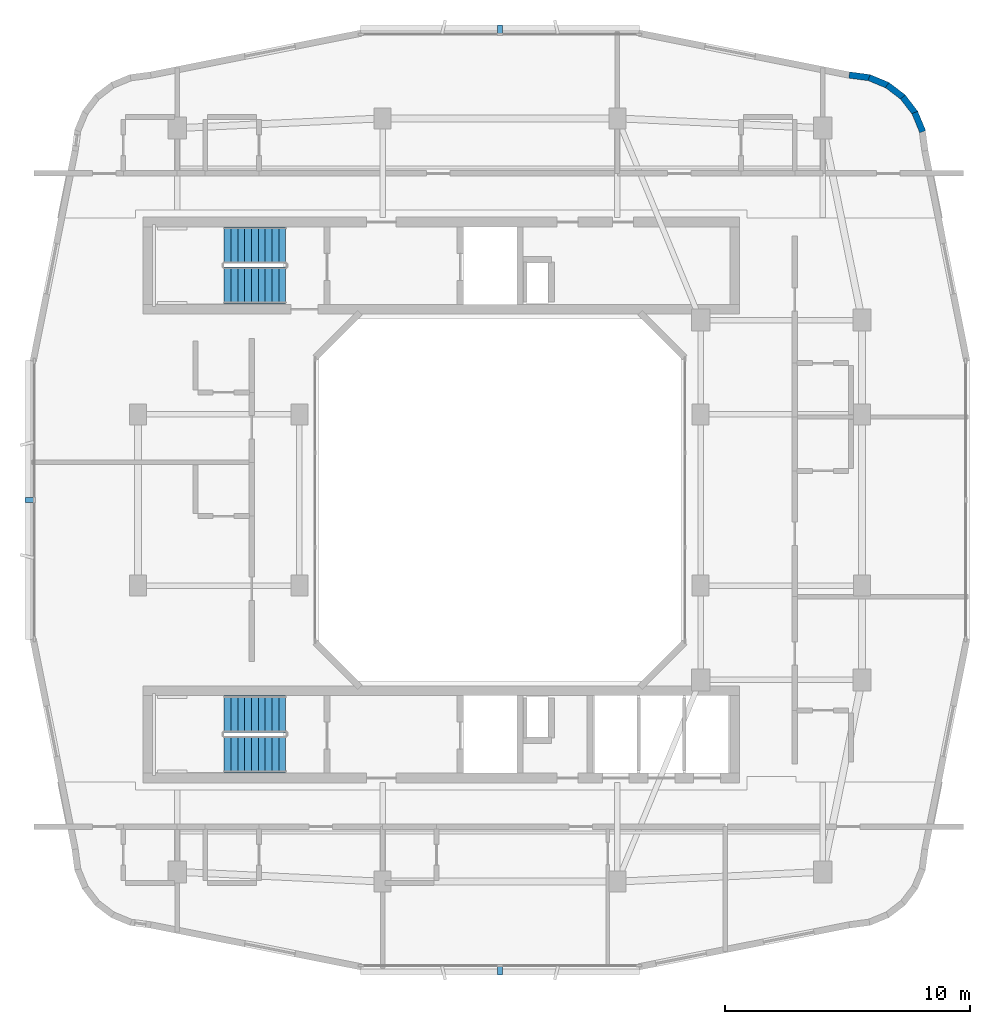
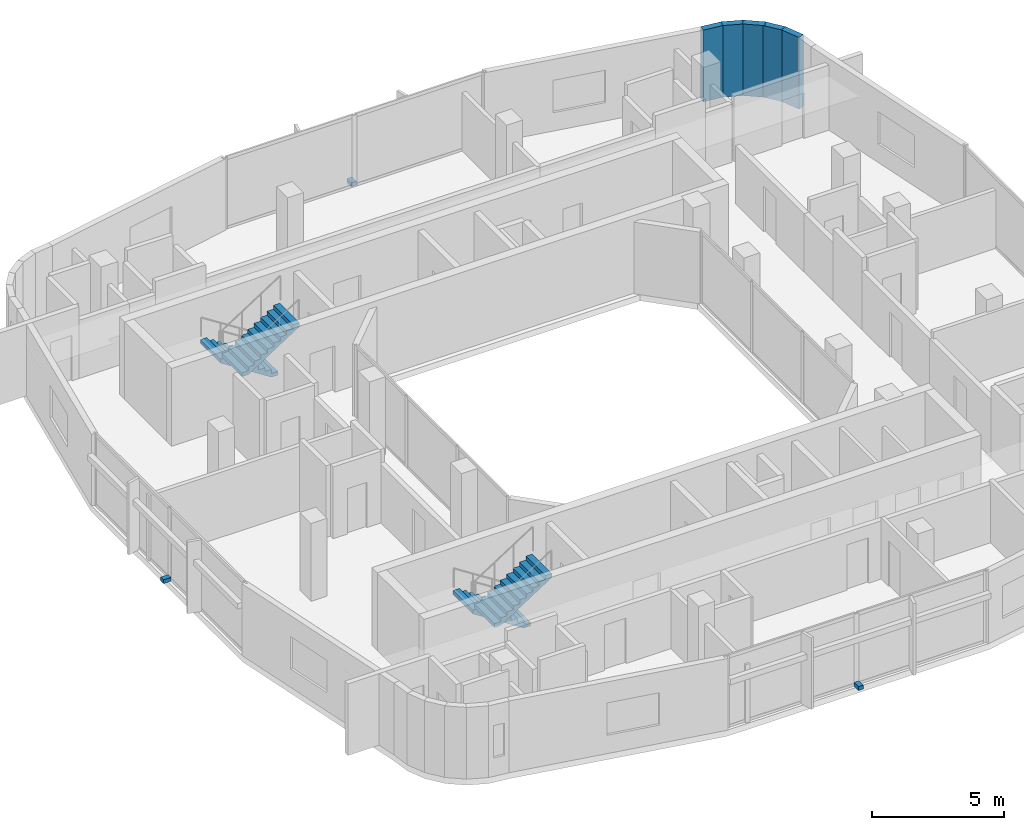
# One storey, part 10 of 14: 5 walls, 4 stair flights, 3 discrete accessories, 2 elements without a shape of their own.
"""IFC4 building model written with IfcOpenShell, lengths in metres."""

from ifc_helpers import new_model, si_unit, derived_unit, direction, frame, frame_2d, origin, origin_2d, place, context, subcontext, project, spatial, polyline, rectangle, outline, extrude, material, layer, layer_set, type_object, element, aggregate, save


model = new_model("IFC4")

# Units and contexts
model_context = context("Model", 3, precision=1e-05, world=origin(), true_north=direction((0.0, 1.0)))
body_context = subcontext(model_context, "Body", "Model", "MODEL_VIEW")
ifc_project = project(units=[si_unit("LENGTHUNIT", "METRE"), si_unit("AREAUNIT", "SQUARE_METRE"), si_unit("VOLUMEUNIT", "CUBIC_METRE"), si_unit("PLANEANGLEUNIT", "RADIAN"), si_unit("MASSUNIT", "GRAM", prefix="KILO"), derived_unit("THERMALTRANSMITTANCEUNIT", [(si_unit("POWERUNIT", "WATT"), 1), (si_unit("LENGTHUNIT", "METRE"), -2), (si_unit("THERMODYNAMICTEMPERATUREUNIT", "KELVIN"), -1)])], contexts=[model_context])

# Site, building, storey
site_placement = place(None, origin())
site = spatial("IfcSite", under=ifc_project, at=site_placement, CompositionType="ELEMENT")
building_placement = place(site_placement, origin())
building = spatial("IfcBuilding", under=site, at=building_placement, Name="Kivonza Crest Hotel", CompositionType="ELEMENT")
storey_placement = place(building_placement, frame((0.0, 0.0, 202.699951171875)))
storey = spatial("IfcBuildingStorey", under=building, at=storey_placement, Name="L55", CompositionType="ELEMENT", Elevation=202.699951171875)

# Walls
ifc_material_1 = material(Name="Precast concrete C40/50", Category="concrete")
ifc_layer = layer(ifc_material_1, 0.260009765625)
ifc_layer_set = layer_set([ifc_layer], Name="Precast concrete C40/50")
wall_type = type_object("IfcWallType", Name="WL-EXT-260", PredefinedType="STANDARD", material=ifc_layer_set)
wall_1_placement = place(storey_placement, frame((38.281005859375, 40.054931640625, 0.0), z_axis=(0.0, 0.0, 1.0), x_axis=(-0.382985169477, 0.923754491172, 0.0)))
element("IfcWall", 1, at=wall_1_placement, inside=storey, type_object=wall_type, Name="L55 T1 exterior insulated wall 20", PredefinedType="STANDARD", context=body_context, shape_type="SweptSolid", body=[
    extrude(rectangle(XDim=0.85107421875, YDim=0.260009765625, at=frame_2d((0.425537109375, 0.0))), origin(), (0.0, 0.0, 1.0), 3.320068359375),
])
for number, where, z_axis, x_axis, name in (
    (2, (37.98291015625, 40.801025390625, 0.0), (0.0, 0.0, 1.0), (-0.607918988881, 0.793999057278, 0.0), "L55 T1 exterior insulated wall 21"),
    (3, (37.50390625, 41.445068359375, 0.0), (0.0, 0.0, 1.0), (-0.793892896323, 0.608057619941, 0.0), "L55 T1 exterior insulated wall 22"),
):
    element("IfcWall", number, at=place(storey_placement, frame(where, z_axis=z_axis, x_axis=x_axis)), inside=storey, type_object=wall_type, Name=name, PredefinedType="STANDARD", context=body_context, shape_type="SweptSolid", body=[
        extrude(rectangle(XDim=0.85009765625, YDim=0.260009765625, at=frame_2d((0.425048828125, 0.0))), origin(), (0.0, 0.0, 1.0), 3.320068359375),
    ])
wall_2_placement = place(storey_placement, frame((36.873046875, 41.94091796875, 0.0), z_axis=(0.0, 0.0, 1.0), x_axis=(-0.923652976167, 0.383229930484, 0.0)))
element("IfcWall", 4, at=wall_2_placement, inside=storey, type_object=wall_type, Name="L55 T1 exterior insulated wall 23", PredefinedType="STANDARD", context=body_context, shape_type="SweptSolid", body=[
    extrude(rectangle(XDim=0.85107421875, YDim=0.260009765625, at=frame_2d((0.425537109375, 0.0))), origin(), (0.0, 0.0, 1.0), 3.320068359375),
])
wall_3_placement = place(storey_placement, frame((36.135986328125, 42.259033203125, 0.0), z_axis=(0.0, 0.0, 1.0), x_axis=(-0.991493480548, 0.130156359936, 0.0)))
element("IfcWall", 5, at=wall_3_placement, inside=storey, type_object=wall_type, Name="L55 T1 exterior insulated wall 24", PredefinedType="STANDARD", context=body_context, shape_type="SweptSolid", body=[
    extrude(rectangle(XDim=0.868408203125, YDim=0.260009765625, at=frame_2d((0.43408203125, 0.0))), origin(), (0.0, 0.0, 1.0), 3.320068359375),
])

# Stair, stair flights
ifc_material_2 = material(Name="Concrete C40/50", Category="concrete")
stair_type = type_object("IfcStairType", Name="ST-DL-20R", PredefinedType="HALF_TURN_STAIR", material=ifc_material_2)
stair_1_placement = place(storey_placement, origin())
stair_1 = element("IfcStair", 6, at=stair_1_placement, inside=storey, type_object=stair_type, Name="L55 Protected Exit Stair ST-T1-N", PredefinedType="HALF_TURN_STAIR")
stair_flight_type = type_object("IfcStairFlightType", Name="SFL-RC-10R", PredefinedType="STRAIGHT", material=ifc_material_2)
stair_flight_1_placement = place(storey_placement, frame((12.239990234375, 35.409912109375, 0.0), z_axis=(0.0, 0.0, 1.0), x_axis=(-1.0, 0.0, 0.0)))
stair_flight_1 = element("IfcStairFlight", 7, at=stair_flight_1_placement, type_object=stair_flight_type, Name="ST-T1-N flight 1", NumberOfRisers=10, NumberOfTreads=9, PredefinedType="STRAIGHT", RiserHeight=0.18, TreadLength=0.28, context=body_context, shape_type="SweptSolid", body=[
    extrude(outline(polyline([(0.0, 0.0), (0.0, 0.179931640625), (0.280029296875, 0.179931640625), (0.280029296875, 0.360107421875), (0.56005859375, 0.360107421875), (0.56005859375, 0.5400390625), (0.840087890625, 0.5400390625), (0.840087890625, 0.719970703125), (1.1201171875, 0.719970703125), (1.1201171875, 0.89990234375), (1.39990234375, 0.89990234375), (1.39990234375, 1.080078125), (1.679931640625, 1.080078125), (1.679931640625, 1.260009765625), (1.9599609375, 1.260009765625), (1.9599609375, 1.43994140625), (2.239990234375, 1.43994140625), (2.239990234375, 1.6201171875), (2.52001953125, 1.6201171875), (2.52001953125, 1.800048828125), (2.52001953125, 1.44189453125), (0.277099609375, 0.0), (0.0, 0.0)])), frame((0.0, 0.75, 0.0), z_axis=(0.0, -1.0, 0.0), x_axis=(1.0, 0.0, 0.0)), (0.0, 0.0, 1.0), 1.5),
])
stair_flight_2_placement = place(storey_placement, frame((9.719970703125, 33.77001953125, 1.800048828125), z_axis=(0.0, 0.0, 1.0), x_axis=(1.0, 0.0, 0.0)))
stair_flight_2 = element("IfcStairFlight", 8, at=stair_flight_2_placement, type_object=stair_flight_type, Name="ST-T1-N flight 2", NumberOfRisers=10, NumberOfTreads=9, PredefinedType="STRAIGHT", RiserHeight=0.18, TreadLength=0.28, context=body_context, shape_type="SweptSolid", body=[
    extrude(outline(polyline([(0.0, 0.0), (0.0, 0.179931640625), (0.280029296875, 0.179931640625), (0.280029296875, 0.360107421875), (0.56005859375, 0.360107421875), (0.56005859375, 0.5400390625), (0.840087890625, 0.5400390625), (0.840087890625, 0.719970703125), (1.1201171875, 0.719970703125), (1.1201171875, 0.89990234375), (1.39990234375, 0.89990234375), (1.39990234375, 1.080078125), (1.679931640625, 1.080078125), (1.679931640625, 1.260009765625), (1.9599609375, 1.260009765625), (1.9599609375, 1.43994140625), (2.239990234375, 1.43994140625), (2.239990234375, 1.6201171875), (2.52001953125, 1.6201171875), (2.52001953125, 1.800048828125), (2.52001953125, 1.44189453125), (0.277099609375, 0.0), (0.0, 0.0)])), frame((0.0, 0.75, 0.0), z_axis=(0.0, -1.0, 0.0), x_axis=(1.0, 0.0, 0.0)), (0.0, 0.0, 1.0), 1.5),
])
aggregate(stair_1, [stair_flight_1, stair_flight_2])

stair_2_placement = place(storey_placement, origin())
stair_2 = element("IfcStair", 9, at=stair_2_placement, inside=storey, type_object=stair_type, Name="L55 Protected Exit Stair ST-T1-S", PredefinedType="HALF_TURN_STAIR")
stair_flight_3_placement = place(storey_placement, frame((12.239990234375, 16.25, 0.0), z_axis=(0.0, 0.0, 1.0), x_axis=(-1.0, 0.0, 0.0)))
stair_flight_3 = element("IfcStairFlight", 10, at=stair_flight_3_placement, type_object=stair_flight_type, Name="ST-T1-S flight 1", NumberOfRisers=10, NumberOfTreads=9, PredefinedType="STRAIGHT", RiserHeight=0.18, TreadLength=0.28, context=body_context, shape_type="SweptSolid", body=[
    extrude(outline(polyline([(0.0, 0.0), (0.0, 0.179931640625), (0.280029296875, 0.179931640625), (0.280029296875, 0.360107421875), (0.56005859375, 0.360107421875), (0.56005859375, 0.5400390625), (0.840087890625, 0.5400390625), (0.840087890625, 0.719970703125), (1.1201171875, 0.719970703125), (1.1201171875, 0.89990234375), (1.39990234375, 0.89990234375), (1.39990234375, 1.080078125), (1.679931640625, 1.080078125), (1.679931640625, 1.260009765625), (1.9599609375, 1.260009765625), (1.9599609375, 1.43994140625), (2.239990234375, 1.43994140625), (2.239990234375, 1.6201171875), (2.52001953125, 1.6201171875), (2.52001953125, 1.800048828125), (2.52001953125, 1.44189453125), (0.277099609375, 0.0), (0.0, 0.0)])), frame((0.0, 0.75, 0.0), z_axis=(0.0, -1.0, 0.0), x_axis=(1.0, 0.0, 0.0)), (0.0, 0.0, 1.0), 1.5),
])
stair_flight_4_placement = place(storey_placement, frame((9.719970703125, 14.610107421875, 1.800048828125), z_axis=(0.0, 0.0, 1.0), x_axis=(1.0, 0.0, 0.0)))
stair_flight_4 = element("IfcStairFlight", 11, at=stair_flight_4_placement, type_object=stair_flight_type, Name="ST-T1-S flight 2", NumberOfRisers=10, NumberOfTreads=9, PredefinedType="STRAIGHT", RiserHeight=0.18, TreadLength=0.28, context=body_context, shape_type="SweptSolid", body=[
    extrude(outline(polyline([(0.0, 0.0), (0.0, 0.179931640625), (0.280029296875, 0.179931640625), (0.280029296875, 0.360107421875), (0.56005859375, 0.360107421875), (0.56005859375, 0.5400390625), (0.840087890625, 0.5400390625), (0.840087890625, 0.719970703125), (1.1201171875, 0.719970703125), (1.1201171875, 0.89990234375), (1.39990234375, 0.89990234375), (1.39990234375, 1.080078125), (1.679931640625, 1.080078125), (1.679931640625, 1.260009765625), (1.9599609375, 1.260009765625), (1.9599609375, 1.43994140625), (2.239990234375, 1.43994140625), (2.239990234375, 1.6201171875), (2.52001953125, 1.6201171875), (2.52001953125, 1.800048828125), (2.52001953125, 1.44189453125), (0.277099609375, 0.0), (0.0, 0.0)])), frame((0.0, 0.75, 0.0), z_axis=(0.0, -1.0, 0.0), x_axis=(1.0, 0.0, 0.0)), (0.0, 0.0, 1.0), 1.5),
])
aggregate(stair_2, [stair_flight_3, stair_flight_4])

# Discrete accessories
ifc_material_3 = material(Name="Stainless steel 316", Category="steel")
discrete_accessory_type = type_object("IfcDiscreteAccessoryType", Name="AC-BRACKET-240", PredefinedType="BRACKET", material=ifc_material_3)
for number, where, z_axis, x_axis, name in (
    (12, (21.0, 5.760009765625, -0.009765625), (0.0, 0.0, 1.0), (1.0, 0.0, 0.0), "L55 terracotta baguette support bracket CW-T1-L55-08"),
    (13, (21.0, 44.239990234375, -0.009765625), (0.0, 0.0, 1.0), (-1.0, 0.0, 0.0), "L55 terracotta baguette support bracket CW-T1-L55-26"),
    (14, (1.760009765625, 25.0, -0.009765625), (0.0, 0.0, 1.0), (0.0, -1.0, 0.0), "L55 terracotta baguette support bracket CW-T1-L55-35"),
):
    element("IfcDiscreteAccessory", number, at=place(storey_placement, frame(where, z_axis=z_axis, x_axis=x_axis)), inside=storey, type_object=discrete_accessory_type, Name=name, PredefinedType="BRACKET", context=body_context, shape_type="SweptSolid", body=[
        extrude(rectangle(XDim=0.219970703125, YDim=0.340087890625, at=origin_2d()), origin(), (0.0, 0.0, 1.0), 0.179931640625),
    ])

save(model, "model.ifc")
